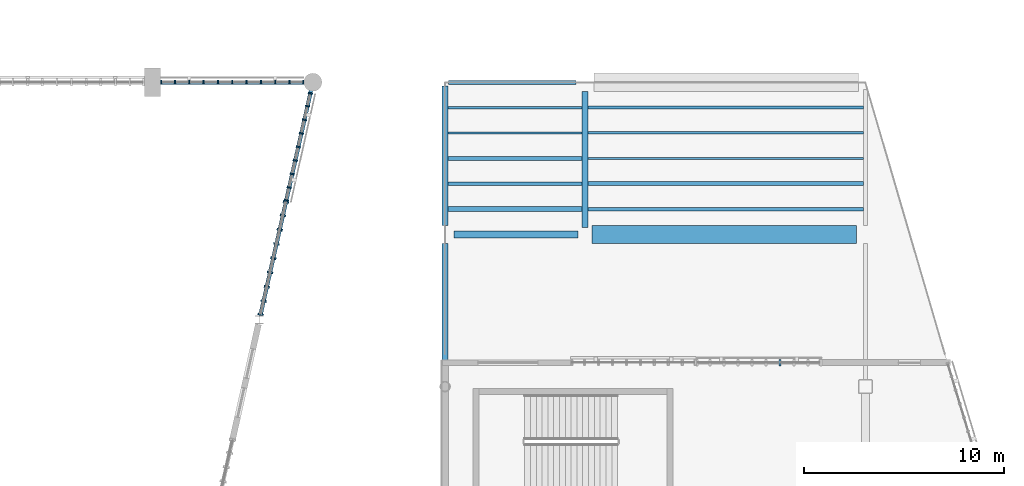
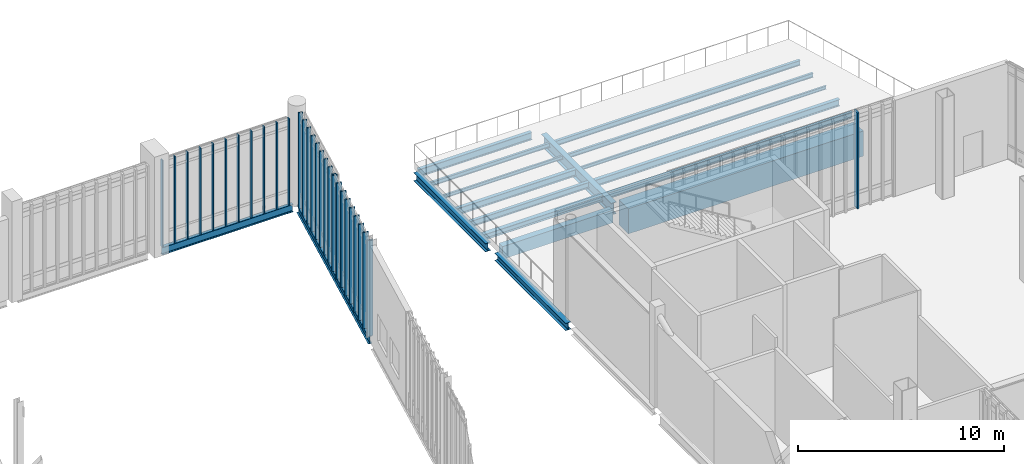
# One storey, part 35 of 135: 30 members, 18 beams, 4 elements without a shape of their own.
"""IFC4 building model written with IfcOpenShell, lengths in metres."""

from ifc_helpers import new_model, si_unit, direction, frame, origin, origin_2d, place, context, subcontext, project, spatial, rectangle, i_section, extrude, material, material_profile, profile_set, type_object, element, aggregate, save


model = new_model("IFC4")

# Units and contexts
model_context = context("Model", 3, precision=1e-05, world=origin(), true_north=direction((0.0, 1.0)))
body_context = subcontext(model_context, "Body", "Model", "MODEL_VIEW")
ifc_project = project(units=[si_unit("LENGTHUNIT", "METRE"), si_unit("AREAUNIT", "SQUARE_METRE"), si_unit("VOLUMEUNIT", "CUBIC_METRE"), si_unit("PLANEANGLEUNIT", "RADIAN"), si_unit("MASSUNIT", "GRAM", prefix="KILO")], contexts=[model_context])

# Site, building, storey
site_placement = place(None, origin())
site = spatial("IfcSite", under=ifc_project, at=site_placement, CompositionType="ELEMENT")
building_placement = place(site_placement, origin())
building = spatial("IfcBuilding", under=site, at=building_placement, Name="Larkvane Passage Sports Hall", CompositionType="ELEMENT")
storey_placement = place(building_placement, frame((0.0, 0.0, 10.800048828125)))
storey = spatial("IfcBuildingStorey", under=building, at=storey_placement, Name="L02", CompositionType="ELEMENT", Elevation=10.800048828125)

# Beams
ifc_material_1 = material(Name="Steel S355JR", Category="steel")
ifc_material_profile_1 = material_profile(ifc_material_1, i_section(OverallWidth=0.300048828125, OverallDepth=0.43994140625, WebThickness=0.010986328125, FlangeThickness=0.01806640625, FilletRadius=0.01806640625, at=origin_2d()), Name="H-440x300x11x18")
ifc_profile_set_1 = profile_set([ifc_material_profile_1], Name="Steel S355JR")
beam_type_1 = type_object("IfcBeamType", Name="BM-STL-H440", PredefinedType="BEAM", material=ifc_profile_set_1)
beam_1_placement = place(storey_placement, frame((124.60009765625, 84.25390625, -0.64013671875), z_axis=(0.0, 1.0, 0.0), x_axis=(-1.0, 0.0, 0.0)))
element("IfcBeam", 1, at=beam_1_placement, inside=storey, type_object=beam_type_1, Name="Girder BM5-Y-L02-17-0783", PredefinedType="BEAM", context=body_context, shape_type="SweptSolid", body=[
    extrude(i_section(OverallWidth=0.300048828125, OverallDepth=0.43994140625, WebThickness=0.010986328125, FlangeThickness=0.01806640625, FilletRadius=0.01806640625, at=origin_2d()), origin(), (0.0, 0.0, 1.0), 6.89599609375),
])
ifc_material_profile_2 = material_profile(ifc_material_1, i_section(OverallWidth=0.300048828125, OverallDepth=0.488037109375, WebThickness=0.010986328125, FlangeThickness=0.01806640625, FilletRadius=0.02197265625, at=origin_2d()), Name="H-488x300x11x18")
ifc_profile_set_2 = profile_set([ifc_material_profile_2], Name="Steel S355JR")
beam_type_2 = type_object("IfcBeamType", Name="BM-STL-H488", PredefinedType="BEAM", material=ifc_profile_set_2)
beam_2_placement = place(storey_placement, frame((124.60009765625, 92.050048828125, -0.6640625), z_axis=(0.0, 1.0, 0.0), x_axis=(-1.0, 0.0, 0.0)))
element("IfcBeam", 2, at=beam_2_placement, inside=storey, type_object=beam_type_2, Name="Girder BM5-Y-L02-17-0784", PredefinedType="BEAM", context=body_context, shape_type="SweptSolid", body=[
    extrude(i_section(OverallWidth=0.300048828125, OverallDepth=0.488037109375, WebThickness=0.010986328125, FlangeThickness=0.01806640625, FilletRadius=0.02197265625, at=origin_2d()), origin(), (0.0, 0.0, 1.0), 6.974853515625),
])
ifc_material_2 = material(Name="Steel S460N", Category="steel")
ifc_material_profile_3 = material_profile(ifc_material_2, i_section(OverallWidth=0.300048828125, OverallDepth=0.699951171875, WebThickness=0.012939453125, FlangeThickness=0.02392578125, FilletRadius=0.02197265625, at=origin_2d()), Name="H-700x300x13x24")
ifc_profile_set_3 = profile_set([ifc_material_profile_3], Name="Steel S460N")
beam_type_3 = type_object("IfcBeamType", Name="BM-STL-H700", PredefinedType="BEAM", material=ifc_profile_set_3)
beam_3_placement = place(storey_placement, frame((131.60009765625, 91.949951171875, -0.77001953125), z_axis=(0.0, 1.0, 0.0), x_axis=(-1.0, 0.0, 0.0)))
element("IfcBeam", 3, at=beam_3_placement, inside=storey, type_object=beam_type_3, Name="Girder BM5-Y-L02-18-0789", PredefinedType="BEAM", context=body_context, shape_type="SweptSolid", body=[
    extrude(i_section(OverallWidth=0.300048828125, OverallDepth=0.699951171875, WebThickness=0.012939453125, FlangeThickness=0.02392578125, FilletRadius=0.02197265625, at=origin_2d()), origin(), (0.0, 0.0, 1.0), 6.800048828125),
])

# Curtain wall, member
ifc_material_3 = material(Name="Thermally broken aluminium and low-E glazing", Category="aluminium")
curtain_wall_type_1 = type_object("IfcCurtainWallType", Name="CW-CLINIC", PredefinedType="USERDEFINED", material=ifc_material_3)
curtain_wall_1_placement = place(storey_placement, origin())
curtain_wall_1 = element("IfcCurtainWall", 4, at=curtain_wall_1_placement, inside=storey, type_object=curtain_wall_type_1, Name="Curtain wall CW5-L02-067", ObjectType="UNITISED CURTAIN WALL", PredefinedType="USERDEFINED")
ifc_material_4 = material(Name="Anodised aluminium 6063-T6", Category="aluminium")
ifc_material_profile_4 = material_profile(ifc_material_4, rectangle(XDim=0.10009765625, YDim=0.320068359375, at=origin_2d()), Name="ALU-MUL-100x320")
ifc_profile_set_4 = profile_set([ifc_material_profile_4], Name="Anodised aluminium 6063-T6")
member_type_1 = type_object("IfcMemberType", Name="CW-MUL-100x320", PredefinedType="MULLION", material=ifc_profile_set_4)
member_1_placement = place(storey_placement, frame((141.333251953125, 85.199951171875, 0.0), z_axis=(0.0, 0.0, 1.0), x_axis=(1.0, 0.0, 0.0)))
member_1 = element("IfcMember", 5, at=member_1_placement, type_object=member_type_1, Name="CW-05 mullion 7", PredefinedType="MULLION", context=body_context, shape_type="SweptSolid", body=[
    extrude(rectangle(XDim=0.10009765625, YDim=0.320068359375, at=origin_2d()), origin(), (0.0, 0.0, 1.0), 5.699951171875),
])
aggregate(curtain_wall_1, [member_1])

# Curtain wall, members
curtain_wall_type_2 = type_object("IfcCurtainWallType", Name="CW-UNIT-COURT", PredefinedType="USERDEFINED", material=ifc_material_3)
curtain_wall_2_placement = place(storey_placement, origin())
curtain_wall_2 = element("IfcCurtainWall", 6, at=curtain_wall_2_placement, inside=storey, type_object=curtain_wall_type_2, Name="Curtain wall CW5-L02-080", ObjectType="UNITISED CURTAIN WALL", PredefinedType="USERDEFINED")
ifc_material_profile_5 = material_profile(ifc_material_4, rectangle(XDim=0.06494140625, YDim=0.179931640625, at=origin_2d()), Name="ALU-MUL-65x180")
ifc_profile_set_5 = profile_set([ifc_material_profile_5], Name="Anodised aluminium 6063-T6")
member_type_2 = type_object("IfcMemberType", Name="CW-MUL-65x180", PredefinedType="MULLION", material=ifc_profile_set_5)
member_2_placement = place(storey_placement, frame((110.428466796875, 99.199951171875, 0.0), z_axis=(0.0, 0.0, 1.0), x_axis=(1.0, 0.0, 0.0)))
member_2 = element("IfcMember", 7, at=member_2_placement, type_object=member_type_2, Name="CW-01 mullion 1", PredefinedType="MULLION", context=body_context, shape_type="SweptSolid", body=[
    extrude(rectangle(XDim=0.06494140625, YDim=0.179931640625, at=origin_2d()), origin(), (0.0, 0.0, 1.0), 5.14794921875),
])
member_3_placement = place(storey_placement, frame((111.11181640625, 99.199951171875, 0.0), z_axis=(0.0, 0.0, 1.0), x_axis=(1.0, 0.0, 0.0)))
member_3 = element("IfcMember", 8, at=member_3_placement, type_object=member_type_2, Name="CW-01 mullion 2", PredefinedType="MULLION", context=body_context, shape_type="SweptSolid", body=[
    extrude(rectangle(XDim=0.06494140625, YDim=0.179931640625, at=origin_2d()), origin(), (0.0, 0.0, 1.0), 5.14794921875),
])
member_4_placement = place(storey_placement, frame((111.82763671875, 99.199951171875, 0.0), z_axis=(0.0, 0.0, 1.0), x_axis=(1.0, 0.0, 0.0)))
member_4 = element("IfcMember", 9, at=member_4_placement, type_object=member_type_2, Name="CW-01 mullion 3", PredefinedType="MULLION", context=body_context, shape_type="SweptSolid", body=[
    extrude(rectangle(XDim=0.06494140625, YDim=0.179931640625, at=origin_2d()), origin(), (0.0, 0.0, 1.0), 5.14794921875),
])
member_5_placement = place(storey_placement, frame((112.54345703125, 99.199951171875, 0.0), z_axis=(0.0, 0.0, 1.0), x_axis=(1.0, 0.0, 0.0)))
member_5 = element("IfcMember", 10, at=member_5_placement, type_object=member_type_2, Name="CW-01 mullion 4", PredefinedType="MULLION", context=body_context, shape_type="SweptSolid", body=[
    extrude(rectangle(XDim=0.06494140625, YDim=0.179931640625, at=origin_2d()), origin(), (0.0, 0.0, 1.0), 5.14794921875),
])
member_6_placement = place(storey_placement, frame((113.25927734375, 99.199951171875, 0.0), z_axis=(0.0, 0.0, 1.0), x_axis=(1.0, 0.0, 0.0)))
member_6 = element("IfcMember", 11, at=member_6_placement, type_object=member_type_2, Name="CW-01 mullion 5", PredefinedType="MULLION", context=body_context, shape_type="SweptSolid", body=[
    extrude(rectangle(XDim=0.06494140625, YDim=0.179931640625, at=origin_2d()), origin(), (0.0, 0.0, 1.0), 5.14794921875),
])
member_7_placement = place(storey_placement, frame((113.97509765625, 99.199951171875, 0.0), z_axis=(0.0, 0.0, 1.0), x_axis=(1.0, 0.0, 0.0)))
member_7 = element("IfcMember", 12, at=member_7_placement, type_object=member_type_2, Name="CW-01 mullion 6", PredefinedType="MULLION", context=body_context, shape_type="SweptSolid", body=[
    extrude(rectangle(XDim=0.06494140625, YDim=0.179931640625, at=origin_2d()), origin(), (0.0, 0.0, 1.0), 5.14794921875),
])
member_8_placement = place(storey_placement, frame((114.69091796875, 99.199951171875, 0.0), z_axis=(0.0, 0.0, 1.0), x_axis=(1.0, 0.0, 0.0)))
member_8 = element("IfcMember", 13, at=member_8_placement, type_object=member_type_2, Name="CW-01 mullion 7", PredefinedType="MULLION", context=body_context, shape_type="SweptSolid", body=[
    extrude(rectangle(XDim=0.06494140625, YDim=0.179931640625, at=origin_2d()), origin(), (0.0, 0.0, 1.0), 5.14794921875),
])
member_9_placement = place(storey_placement, frame((115.406494140625, 99.199951171875, 0.0), z_axis=(0.0, 0.0, 1.0), x_axis=(1.0, 0.0, 0.0)))
member_9 = element("IfcMember", 14, at=member_9_placement, type_object=member_type_2, Name="CW-01 mullion 8", PredefinedType="MULLION", context=body_context, shape_type="SweptSolid", body=[
    extrude(rectangle(XDim=0.06494140625, YDim=0.179931640625, at=origin_2d()), origin(), (0.0, 0.0, 1.0), 5.14794921875),
])
member_10_placement = place(storey_placement, frame((116.122314453125, 99.199951171875, 0.0), z_axis=(0.0, 0.0, 1.0), x_axis=(1.0, 0.0, 0.0)))
member_10 = element("IfcMember", 15, at=member_10_placement, type_object=member_type_2, Name="CW-01 mullion 9", PredefinedType="MULLION", context=body_context, shape_type="SweptSolid", body=[
    extrude(rectangle(XDim=0.06494140625, YDim=0.179931640625, at=origin_2d()), origin(), (0.0, 0.0, 1.0), 5.14794921875),
])
member_11_placement = place(storey_placement, frame((116.838134765625, 99.199951171875, 0.0), z_axis=(0.0, 0.0, 1.0), x_axis=(1.0, 0.0, 0.0)))
member_11 = element("IfcMember", 16, at=member_11_placement, type_object=member_type_2, Name="CW-01 mullion 10", PredefinedType="MULLION", context=body_context, shape_type="SweptSolid", body=[
    extrude(rectangle(XDim=0.06494140625, YDim=0.179931640625, at=origin_2d()), origin(), (0.0, 0.0, 1.0), 5.14794921875),
])
member_12_placement = place(storey_placement, frame((117.521484375, 99.199951171875, 0.0), z_axis=(0.0, 0.0, 1.0), x_axis=(1.0, 0.0, 0.0)))
member_12 = element("IfcMember", 17, at=member_12_placement, type_object=member_type_2, Name="CW-01 mullion 11", PredefinedType="MULLION", context=body_context, shape_type="SweptSolid", body=[
    extrude(rectangle(XDim=0.06494140625, YDim=0.179931640625, at=origin_2d()), origin(), (0.0, 0.0, 1.0), 5.14794921875),
])
aggregate(curtain_wall_2, [member_2, member_3, member_4, member_5, member_6, member_7, member_8, member_9, member_10, member_11, member_12])

curtain_wall_type_3 = type_object("IfcCurtainWallType", Name="CW-UNIT-VEIL", PredefinedType="USERDEFINED", material=ifc_material_3)
curtain_wall_3_placement = place(storey_placement, origin())
curtain_wall_3 = element("IfcCurtainWall", 18, at=curtain_wall_3_placement, inside=storey, type_object=curtain_wall_type_3, Name="Curtain wall CW5-L02-081", ObjectType="UNITISED CURTAIN WALL", PredefinedType="USERDEFINED")
ifc_material_profile_6 = material_profile(ifc_material_4, rectangle(XDim=0.074951171875, YDim=0.22509765625, at=origin_2d()), Name="ALU-MUL-75x225")
ifc_profile_set_6 = profile_set([ifc_material_profile_6], Name="Anodised aluminium 6063-T6")
member_type_3 = type_object("IfcMemberType", Name="CW-MUL-75x225", PredefinedType="MULLION", material=ifc_profile_set_6)
member_13_placement = place(storey_placement, frame((117.874755859375, 98.642822265625, 0.0), z_axis=(0.0, 0.0, 1.0), x_axis=(-0.219257496416, -0.975667028379, 0.0)))
member_13 = element("IfcMember", 19, at=member_13_placement, type_object=member_type_3, Name="CW-02 mullion 1", PredefinedType="MULLION", context=body_context, shape_type="SweptSolid", body=[
    extrude(rectangle(XDim=0.074951171875, YDim=0.22509765625, at=origin_2d()), origin(), (0.0, 0.0, 1.0), 5.699951171875),
])
member_14_placement = place(storey_placement, frame((117.73095703125, 98.00244140625, 0.0), z_axis=(0.0, 0.0, 1.0), x_axis=(-0.219257496416, -0.975667028379, 0.0)))
member_14 = element("IfcMember", 20, at=member_14_placement, type_object=member_type_3, Name="CW-02 mullion 2", PredefinedType="MULLION", context=body_context, shape_type="SweptSolid", body=[
    extrude(rectangle(XDim=0.074951171875, YDim=0.22509765625, at=origin_2d()), origin(), (0.0, 0.0, 1.0), 5.699951171875),
])
member_15_placement = place(storey_placement, frame((117.578857421875, 97.32568359375, 0.0), z_axis=(0.0, 0.0, 1.0), x_axis=(-0.219257496416, -0.975667028379, 0.0)))
member_15 = element("IfcMember", 21, at=member_15_placement, type_object=member_type_3, Name="CW-02 mullion 3", PredefinedType="MULLION", context=body_context, shape_type="SweptSolid", body=[
    extrude(rectangle(XDim=0.074951171875, YDim=0.22509765625, at=origin_2d()), origin(), (0.0, 0.0, 1.0), 5.699951171875),
])
member_16_placement = place(storey_placement, frame((117.4267578125, 96.64892578125, 0.0), z_axis=(0.0, 0.0, 1.0), x_axis=(-0.219257496416, -0.975667028379, 0.0)))
member_16 = element("IfcMember", 22, at=member_16_placement, type_object=member_type_3, Name="CW-02 mullion 4", PredefinedType="MULLION", context=body_context, shape_type="SweptSolid", body=[
    extrude(rectangle(XDim=0.074951171875, YDim=0.22509765625, at=origin_2d()), origin(), (0.0, 0.0, 1.0), 5.699951171875),
])
member_17_placement = place(storey_placement, frame((117.274658203125, 95.971923828125, 0.0), z_axis=(0.0, 0.0, 1.0), x_axis=(-0.219257496416, -0.975667028379, 0.0)))
member_17 = element("IfcMember", 23, at=member_17_placement, type_object=member_type_3, Name="CW-02 mullion 5", PredefinedType="MULLION", context=body_context, shape_type="SweptSolid", body=[
    extrude(rectangle(XDim=0.074951171875, YDim=0.22509765625, at=origin_2d()), origin(), (0.0, 0.0, 1.0), 5.699951171875),
])
member_18_placement = place(storey_placement, frame((117.12255859375, 95.295166015625, 0.0), z_axis=(0.0, 0.0, 1.0), x_axis=(-0.219257496416, -0.975667028379, 0.0)))
member_18 = element("IfcMember", 24, at=member_18_placement, type_object=member_type_3, Name="CW-02 mullion 6", PredefinedType="MULLION", context=body_context, shape_type="SweptSolid", body=[
    extrude(rectangle(XDim=0.074951171875, YDim=0.22509765625, at=origin_2d()), origin(), (0.0, 0.0, 1.0), 5.699951171875),
])
member_19_placement = place(storey_placement, frame((116.970458984375, 94.618408203125, 0.0), z_axis=(0.0, 0.0, 1.0), x_axis=(-0.219257496416, -0.975667028379, 0.0)))
member_19 = element("IfcMember", 25, at=member_19_placement, type_object=member_type_3, Name="CW-02 mullion 7", PredefinedType="MULLION", context=body_context, shape_type="SweptSolid", body=[
    extrude(rectangle(XDim=0.074951171875, YDim=0.22509765625, at=origin_2d()), origin(), (0.0, 0.0, 1.0), 5.699951171875),
])
member_20_placement = place(storey_placement, frame((116.818359375, 93.94140625, 0.0), z_axis=(0.0, 0.0, 1.0), x_axis=(-0.219257496416, -0.975667028379, 0.0)))
member_20 = element("IfcMember", 26, at=member_20_placement, type_object=member_type_3, Name="CW-02 mullion 8", PredefinedType="MULLION", context=body_context, shape_type="SweptSolid", body=[
    extrude(rectangle(XDim=0.074951171875, YDim=0.22509765625, at=origin_2d()), origin(), (0.0, 0.0, 1.0), 5.699951171875),
])
member_21_placement = place(storey_placement, frame((116.67431640625, 93.30126953125, 0.0), z_axis=(0.0, 0.0, 1.0), x_axis=(-0.219257496416, -0.975667028379, 0.0)))
member_21 = element("IfcMember", 27, at=member_21_placement, type_object=member_type_3, Name="CW-02 mullion 9", PredefinedType="MULLION", context=body_context, shape_type="SweptSolid", body=[
    extrude(rectangle(XDim=0.074951171875, YDim=0.22509765625, at=origin_2d()), origin(), (0.0, 0.0, 1.0), 5.699951171875),
])
aggregate(curtain_wall_3, [member_13, member_14, member_15, member_16, member_17, member_18, member_19, member_20, member_21])

curtain_wall_type_4 = type_object("IfcCurtainWallType", Name="CW-STICK-FOYER", PredefinedType="USERDEFINED", material=ifc_material_3)
curtain_wall_4_placement = place(storey_placement, origin())
curtain_wall_4 = element("IfcCurtainWall", 28, at=curtain_wall_4_placement, inside=storey, type_object=curtain_wall_type_4, Name="Curtain wall CW5-L02-082", ObjectType="STICK CURTAIN WALL", PredefinedType="USERDEFINED")
ifc_material_profile_7 = material_profile(ifc_material_4, rectangle(XDim=0.090087890625, YDim=0.280029296875, at=origin_2d()), Name="ALU-MUL-90x280")
ifc_profile_set_7 = profile_set([ifc_material_profile_7], Name="Anodised aluminium 6063-T6")
member_type_4 = type_object("IfcMemberType", Name="CW-MUL-90x280", PredefinedType="MULLION", material=ifc_profile_set_7)
member_22_placement = place(storey_placement, frame((116.65625, 93.220703125, 0.0), z_axis=(0.0, 0.0, 1.0), x_axis=(-0.219243647747, -0.975670140428, 0.0)))
member_22 = element("IfcMember", 29, at=member_22_placement, type_object=member_type_4, Name="CW-03 mullion 1", PredefinedType="MULLION", context=body_context, shape_type="SweptSolid", body=[
    extrude(rectangle(XDim=0.090087890625, YDim=0.280029296875, at=origin_2d()), origin(), (0.0, 0.0, 1.0), 5.699951171875),
])
member_23_placement = place(storey_placement, frame((116.505859375, 92.551513671875, 0.0), z_axis=(0.0, 0.0, 1.0), x_axis=(-0.219243647747, -0.975670140428, 0.0)))
member_23 = element("IfcMember", 30, at=member_23_placement, type_object=member_type_4, Name="CW-03 mullion 2", PredefinedType="MULLION", context=body_context, shape_type="SweptSolid", body=[
    extrude(rectangle(XDim=0.090087890625, YDim=0.280029296875, at=origin_2d()), origin(), (0.0, 0.0, 1.0), 5.699951171875),
])
member_24_placement = place(storey_placement, frame((116.345703125, 91.838134765625, 0.0), z_axis=(0.0, 0.0, 1.0), x_axis=(-0.219243647747, -0.975670140428, 0.0)))
member_24 = element("IfcMember", 31, at=member_24_placement, type_object=member_type_4, Name="CW-03 mullion 3", PredefinedType="MULLION", context=body_context, shape_type="SweptSolid", body=[
    extrude(rectangle(XDim=0.090087890625, YDim=0.280029296875, at=origin_2d()), origin(), (0.0, 0.0, 1.0), 5.699951171875),
])
member_25_placement = place(storey_placement, frame((116.185302734375, 91.125, 0.0), z_axis=(0.0, 0.0, 1.0), x_axis=(-0.219243647747, -0.975670140428, 0.0)))
member_25 = element("IfcMember", 32, at=member_25_placement, type_object=member_type_4, Name="CW-03 mullion 4", PredefinedType="MULLION", context=body_context, shape_type="SweptSolid", body=[
    extrude(rectangle(XDim=0.090087890625, YDim=0.280029296875, at=origin_2d()), origin(), (0.0, 0.0, 1.0), 5.699951171875),
])
member_26_placement = place(storey_placement, frame((116.025146484375, 90.41162109375, 0.0), z_axis=(0.0, 0.0, 1.0), x_axis=(-0.219243647747, -0.975670140428, 0.0)))
member_26 = element("IfcMember", 33, at=member_26_placement, type_object=member_type_4, Name="CW-03 mullion 5", PredefinedType="MULLION", context=body_context, shape_type="SweptSolid", body=[
    extrude(rectangle(XDim=0.090087890625, YDim=0.280029296875, at=origin_2d()), origin(), (0.0, 0.0, 1.0), 5.699951171875),
])
member_27_placement = place(storey_placement, frame((115.86474609375, 89.698486328125, 0.0), z_axis=(0.0, 0.0, 1.0), x_axis=(-0.219243647747, -0.975670140428, 0.0)))
member_27 = element("IfcMember", 34, at=member_27_placement, type_object=member_type_4, Name="CW-03 mullion 6", PredefinedType="MULLION", context=body_context, shape_type="SweptSolid", body=[
    extrude(rectangle(XDim=0.090087890625, YDim=0.280029296875, at=origin_2d()), origin(), (0.0, 0.0, 1.0), 5.699951171875),
])
member_28_placement = place(storey_placement, frame((115.70458984375, 88.985107421875, 0.0), z_axis=(0.0, 0.0, 1.0), x_axis=(-0.219243647747, -0.975670140428, 0.0)))
member_28 = element("IfcMember", 35, at=member_28_placement, type_object=member_type_4, Name="CW-03 mullion 7", PredefinedType="MULLION", context=body_context, shape_type="SweptSolid", body=[
    extrude(rectangle(XDim=0.090087890625, YDim=0.280029296875, at=origin_2d()), origin(), (0.0, 0.0, 1.0), 5.699951171875),
])
member_29_placement = place(storey_placement, frame((115.544189453125, 88.27197265625, 0.0), z_axis=(0.0, 0.0, 1.0), x_axis=(-0.219243647747, -0.975670140428, 0.0)))
member_29 = element("IfcMember", 36, at=member_29_placement, type_object=member_type_4, Name="CW-03 mullion 8", PredefinedType="MULLION", context=body_context, shape_type="SweptSolid", body=[
    extrude(rectangle(XDim=0.090087890625, YDim=0.280029296875, at=origin_2d()), origin(), (0.0, 0.0, 1.0), 5.699951171875),
])
member_30_placement = place(storey_placement, frame((115.393798828125, 87.6025390625, 0.0), z_axis=(0.0, 0.0, 1.0), x_axis=(-0.219243647747, -0.975670140428, 0.0)))
member_30 = element("IfcMember", 37, at=member_30_placement, type_object=member_type_4, Name="CW-03 mullion 9", PredefinedType="MULLION", context=body_context, shape_type="SweptSolid", body=[
    extrude(rectangle(XDim=0.090087890625, YDim=0.280029296875, at=origin_2d()), origin(), (0.0, 0.0, 1.0), 5.699951171875),
])
aggregate(curtain_wall_4, [member_22, member_23, member_24, member_25, member_26, member_27, member_28, member_29, member_30])

# Beams
ifc_material_profile_8 = material_profile(ifc_material_1, i_section(OverallWidth=0.10009765625, OverallDepth=0.199951171875, WebThickness=0.005615234375, FlangeThickness=0.008056640625, FilletRadius=0.008056640625, at=origin_2d()), Name="H-200x100x5.5x8")
ifc_profile_set_8 = profile_set([ifc_material_profile_8], Name="Steel S355JR")
beam_type_4 = type_object("IfcBeamType", Name="JST-STL-H200", PredefinedType="JOIST", material=ifc_profile_set_8)
beam_4_placement = place(storey_placement, frame((124.75, 96.666748046875, -0.52001953125), z_axis=(1.0, 0.0, 0.0), x_axis=(0.0, 1.0, 0.0)))
element("IfcBeam", 38, at=beam_4_placement, inside=storey, type_object=beam_type_4, Name="Composite joist L02 17/L-4", PredefinedType="JOIST", context=body_context, shape_type="SweptSolid", body=[
    extrude(i_section(OverallWidth=0.10009765625, OverallDepth=0.199951171875, WebThickness=0.005615234375, FlangeThickness=0.008056640625, FilletRadius=0.008056640625, at=origin_2d()), origin(), (0.0, 0.0, 1.0), 6.699951171875),
])
beam_5_placement = place(storey_placement, frame((131.75, 95.39990234375, -0.52001953125), z_axis=(1.0, 0.0, 0.0), x_axis=(0.0, 1.0, 0.0)))
element("IfcBeam", 39, at=beam_5_placement, inside=storey, type_object=beam_type_4, Name="Composite joist L02 18/L-3", PredefinedType="JOIST", context=body_context, shape_type="SweptSolid", body=[
    extrude(i_section(OverallWidth=0.10009765625, OverallDepth=0.199951171875, WebThickness=0.005615234375, FlangeThickness=0.008056640625, FilletRadius=0.008056640625, at=origin_2d()), origin(), (0.0, 0.0, 1.0), 13.75),
])
ifc_material_profile_9 = material_profile(ifc_material_1, i_section(OverallWidth=0.125, OverallDepth=0.25, WebThickness=0.006103515625, FlangeThickness=0.009033203125, FilletRadius=0.008056640625, at=origin_2d()), Name="H-250x125x6x9")
ifc_profile_set_9 = profile_set([ifc_material_profile_9], Name="Steel S355JR")
beam_type_5 = type_object("IfcBeamType", Name="JST-STL-H250", PredefinedType="JOIST", material=ifc_profile_set_9)
beam_6_placement = place(storey_placement, frame((124.75, 97.933349609375, -0.545166015625), z_axis=(1.0, 0.0, 0.0), x_axis=(0.0, 1.0, 0.0)))
element("IfcBeam", 40, at=beam_6_placement, inside=storey, type_object=beam_type_5, Name="Composite joist L02 17/L-5", PredefinedType="JOIST", context=body_context, shape_type="SweptSolid", body=[
    extrude(i_section(OverallWidth=0.125, OverallDepth=0.25, WebThickness=0.006103515625, FlangeThickness=0.009033203125, FilletRadius=0.008056640625, at=origin_2d()), origin(), (0.0, 0.0, 1.0), 6.699951171875),
])
beam_7_placement = place(storey_placement, frame((131.75, 96.666748046875, -0.545166015625), z_axis=(1.0, 0.0, 0.0), x_axis=(0.0, 1.0, 0.0)))
element("IfcBeam", 41, at=beam_7_placement, inside=storey, type_object=beam_type_5, Name="Composite joist L02 18/L-4", PredefinedType="JOIST", context=body_context, shape_type="SweptSolid", body=[
    extrude(i_section(OverallWidth=0.125, OverallDepth=0.25, WebThickness=0.006103515625, FlangeThickness=0.009033203125, FilletRadius=0.008056640625, at=origin_2d()), origin(), (0.0, 0.0, 1.0), 13.75),
])
ifc_material_profile_10 = material_profile(ifc_material_1, i_section(OverallWidth=0.14990234375, OverallDepth=0.300048828125, WebThickness=0.006591796875, FlangeThickness=0.009033203125, FilletRadius=0.012939453125, at=origin_2d()), Name="H-300x150x6.5x9")
ifc_profile_set_10 = profile_set([ifc_material_profile_10], Name="Steel S355JR")
beam_type_6 = type_object("IfcBeamType", Name="JST-STL-H300", PredefinedType="JOIST", material=ifc_profile_set_10)
beam_8_placement = place(storey_placement, frame((131.75, 97.933349609375, -0.570068359375), z_axis=(1.0, 0.0, 0.0), x_axis=(0.0, 1.0, 0.0)))
element("IfcBeam", 42, at=beam_8_placement, inside=storey, type_object=beam_type_6, Name="Composite joist L02 18/L-5", PredefinedType="JOIST", context=body_context, shape_type="SweptSolid", body=[
    extrude(i_section(OverallWidth=0.14990234375, OverallDepth=0.300048828125, WebThickness=0.006591796875, FlangeThickness=0.009033203125, FilletRadius=0.012939453125, at=origin_2d()), origin(), (0.0, 0.0, 1.0), 13.75),
])
ifc_material_profile_11 = material_profile(ifc_material_1, i_section(OverallWidth=0.25, OverallDepth=0.340087890625, WebThickness=0.009033203125, FlangeThickness=0.013916015625, FilletRadius=0.012939453125, at=origin_2d()), Name="H-340x250x9x14")
ifc_profile_set_11 = profile_set([ifc_material_profile_11], Name="Steel S355JR")
beam_type_7 = type_object("IfcBeamType", Name="JST-STL-H340", PredefinedType="JOIST", material=ifc_profile_set_11)
beam_9_placement = place(storey_placement, frame((124.75, 92.86669921875, -0.590087890625), z_axis=(1.0, 0.0, 0.0), x_axis=(0.0, 1.0, 0.0)))
element("IfcBeam", 43, at=beam_9_placement, inside=storey, type_object=beam_type_7, Name="Composite joist L02 17/L-1", PredefinedType="JOIST", context=body_context, shape_type="SweptSolid", body=[
    extrude(i_section(OverallWidth=0.25, OverallDepth=0.340087890625, WebThickness=0.009033203125, FlangeThickness=0.013916015625, FilletRadius=0.012939453125, at=origin_2d()), origin(), (0.0, 0.0, 1.0), 6.699951171875),
])
ifc_material_profile_12 = material_profile(ifc_material_1, i_section(OverallWidth=0.175048828125, OverallDepth=0.35009765625, WebThickness=0.007080078125, FlangeThickness=0.010986328125, FilletRadius=0.012939453125, at=origin_2d()), Name="H-350x175x7x11")
ifc_profile_set_12 = profile_set([ifc_material_profile_12], Name="Steel S355JR")
beam_type_8 = type_object("IfcBeamType", Name="JST-STL-H350", PredefinedType="JOIST", material=ifc_profile_set_12)
beam_10_placement = place(storey_placement, frame((124.75, 94.13330078125, -0.594970703125), z_axis=(1.0, 0.0, 0.0), x_axis=(0.0, 1.0, 0.0)))
element("IfcBeam", 44, at=beam_10_placement, inside=storey, type_object=beam_type_8, Name="Composite joist L02 17/L-2", PredefinedType="JOIST", context=body_context, shape_type="SweptSolid", body=[
    extrude(i_section(OverallWidth=0.175048828125, OverallDepth=0.35009765625, WebThickness=0.007080078125, FlangeThickness=0.010986328125, FilletRadius=0.012939453125, at=origin_2d()), origin(), (0.0, 0.0, 1.0), 6.699951171875),
])
beam_11_placement = place(storey_placement, frame((131.75, 92.86669921875, -0.594970703125), z_axis=(1.0, 0.0, 0.0), x_axis=(0.0, 1.0, 0.0)))
element("IfcBeam", 45, at=beam_11_placement, inside=storey, type_object=beam_type_8, Name="Composite joist L02 18/L-1", PredefinedType="JOIST", context=body_context, shape_type="SweptSolid", body=[
    extrude(i_section(OverallWidth=0.175048828125, OverallDepth=0.35009765625, WebThickness=0.007080078125, FlangeThickness=0.010986328125, FilletRadius=0.012939453125, at=origin_2d()), origin(), (0.0, 0.0, 1.0), 13.75),
])
ifc_material_profile_13 = material_profile(ifc_material_1, i_section(OverallWidth=0.199951171875, OverallDepth=0.39990234375, WebThickness=0.008056640625, FlangeThickness=0.012939453125, FilletRadius=0.012939453125, at=origin_2d()), Name="H-400x200x8x13")
ifc_profile_set_13 = profile_set([ifc_material_profile_13], Name="Steel S355JR")
beam_type_9 = type_object("IfcBeamType", Name="JST-STL-H400", PredefinedType="JOIST", material=ifc_profile_set_13)
beam_12_placement = place(storey_placement, frame((124.75, 95.39990234375, -0.6201171875), z_axis=(1.0, 0.0, 0.0), x_axis=(0.0, 1.0, 0.0)))
element("IfcBeam", 46, at=beam_12_placement, inside=storey, type_object=beam_type_9, Name="Composite joist L02 17/L-3", PredefinedType="JOIST", context=body_context, shape_type="SweptSolid", body=[
    extrude(i_section(OverallWidth=0.199951171875, OverallDepth=0.39990234375, WebThickness=0.008056640625, FlangeThickness=0.012939453125, FilletRadius=0.012939453125, at=origin_2d()), origin(), (0.0, 0.0, 1.0), 6.699951171875),
])
beam_13_placement = place(storey_placement, frame((131.75, 94.13330078125, -0.6201171875), z_axis=(1.0, 0.0, 0.0), x_axis=(0.0, 1.0, 0.0)))
element("IfcBeam", 47, at=beam_13_placement, inside=storey, type_object=beam_type_9, Name="Composite joist L02 18/L-2", PredefinedType="JOIST", context=body_context, shape_type="SweptSolid", body=[
    extrude(i_section(OverallWidth=0.199951171875, OverallDepth=0.39990234375, WebThickness=0.008056640625, FlangeThickness=0.012939453125, FilletRadius=0.012939453125, at=origin_2d()), origin(), (0.0, 0.0, 1.0), 13.75),
])
ifc_material_5 = material(Name="Concrete C50/60", Category="concrete")
ifc_material_profile_14 = material_profile(ifc_material_5, rectangle(XDim=0.89990234375, YDim=1.5, at=origin_2d()), Name="PT-GIR-900x1500")
ifc_profile_set_14 = profile_set([ifc_material_profile_14], Name="Concrete C50/60")
beam_type_10 = type_object("IfcBeamType", Name="PTG-900x1500", PredefinedType="BEAM", material=ifc_profile_set_14)
beam_14_placement = place(storey_placement, frame((131.949951171875, 91.60009765625, -1.170166015625), z_axis=(1.0, 0.0, 0.0), x_axis=(0.0, 1.0, 0.0)))
element("IfcBeam", 48, at=beam_14_placement, inside=storey, type_object=beam_type_10, Name="Post-tensioned transfer girder BM5-X-L02-L-0734", PredefinedType="BEAM", context=body_context, shape_type="SweptSolid", body=[
    extrude(rectangle(XDim=0.89990234375, YDim=1.5, at=origin_2d()), origin(), (0.0, 0.0, 1.0), 13.199951171875),
])
ifc_material_6 = material(Name="Concrete C40/50", Category="concrete")
ifc_material_profile_15 = material_profile(ifc_material_6, rectangle(XDim=0.35009765625, YDim=0.75, at=origin_2d()), Name="RC-SP-350x750")
ifc_profile_set_15 = profile_set([ifc_material_profile_15], Name="Concrete C40/50")
beam_type_11 = type_object("IfcBeamType", Name="SP-RC-350x750", PredefinedType="SPANDREL", material=ifc_profile_set_15)
beam_15_placement = place(storey_placement, frame((125.050048828125, 91.60009765625, -0.795166015625), z_axis=(1.0, 0.0, 0.0), x_axis=(0.0, 1.0, 0.0)))
element("IfcBeam", 49, at=beam_15_placement, inside=storey, type_object=beam_type_11, Name="Girder BM5-X-L02-L-0733", PredefinedType="SPANDREL", context=body_context, shape_type="SweptSolid", body=[
    extrude(rectangle(XDim=0.35009765625, YDim=0.75, at=origin_2d()), origin(), (0.0, 0.0, 1.0), 6.199951171875),
])
ifc_material_profile_16 = material_profile(ifc_material_1, i_section(OverallWidth=0.199951171875, OverallDepth=0.449951171875, WebThickness=0.009033203125, FlangeThickness=0.013916015625, FilletRadius=0.01806640625, at=origin_2d()), Name="H-450x200x9x14")
ifc_profile_set_16 = profile_set([ifc_material_profile_16], Name="Steel S355JR")
beam_type_12 = type_object("IfcBeamType", Name="SP-STL-H450", PredefinedType="SPANDREL", material=ifc_profile_set_16)
beam_16_placement = place(storey_placement, frame((124.77490234375, 99.199951171875, -0.64501953125), z_axis=(1.0, 0.0, 0.0), x_axis=(0.0, 1.0, 0.0)))
element("IfcBeam", 50, at=beam_16_placement, inside=storey, type_object=beam_type_12, Name="Girder BM5-X-L02-M-0735", PredefinedType="SPANDREL", context=body_context, shape_type="SweptSolid", body=[
    extrude(i_section(OverallWidth=0.199951171875, OverallDepth=0.449951171875, WebThickness=0.009033203125, FlangeThickness=0.013916015625, FilletRadius=0.01806640625, at=origin_2d()), origin(), (0.0, 0.0, 1.0), 6.375),
])
beam_17_placement = place(storey_placement, frame((110.39990234375, 99.199951171875, -0.22509765625), z_axis=(1.0, 0.0, 0.0), x_axis=(0.0, 1.0, 0.0)))
element("IfcBeam", 51, at=beam_17_placement, inside=storey, type_object=beam_type_12, Name="Climbing hall L02 spandrel beam BM5-V3-SP-M3", PredefinedType="SPANDREL", context=body_context, shape_type="SweptSolid", body=[
    extrude(i_section(OverallWidth=0.199951171875, OverallDepth=0.449951171875, WebThickness=0.009033203125, FlangeThickness=0.013916015625, FilletRadius=0.01806640625, at=origin_2d()), origin(), (0.0, 0.0, 1.0), 7.35009765625),
])
beam_18_placement = place(storey_placement, frame((115.3798828125, 87.550048828125, -0.22509765625), z_axis=(0.219743159182, 0.97555776046, 0.0), x_axis=(-0.97555776046, 0.219743159182, 0.0)))
element("IfcBeam", 52, at=beam_18_placement, inside=storey, type_object=beam_type_12, Name="Climbing hall L02 spandrel beam BM5-V3-SP-E3", PredefinedType="SPANDREL", context=body_context, shape_type="SweptSolid", body=[
    extrude(i_section(OverallWidth=0.199951171875, OverallDepth=0.449951171875, WebThickness=0.009033203125, FlangeThickness=0.013916015625, FilletRadius=0.01806640625, at=origin_2d()), origin(), (0.0, 0.0, 1.0), 11.69580078125),
])

save(model, "model.ifc")
